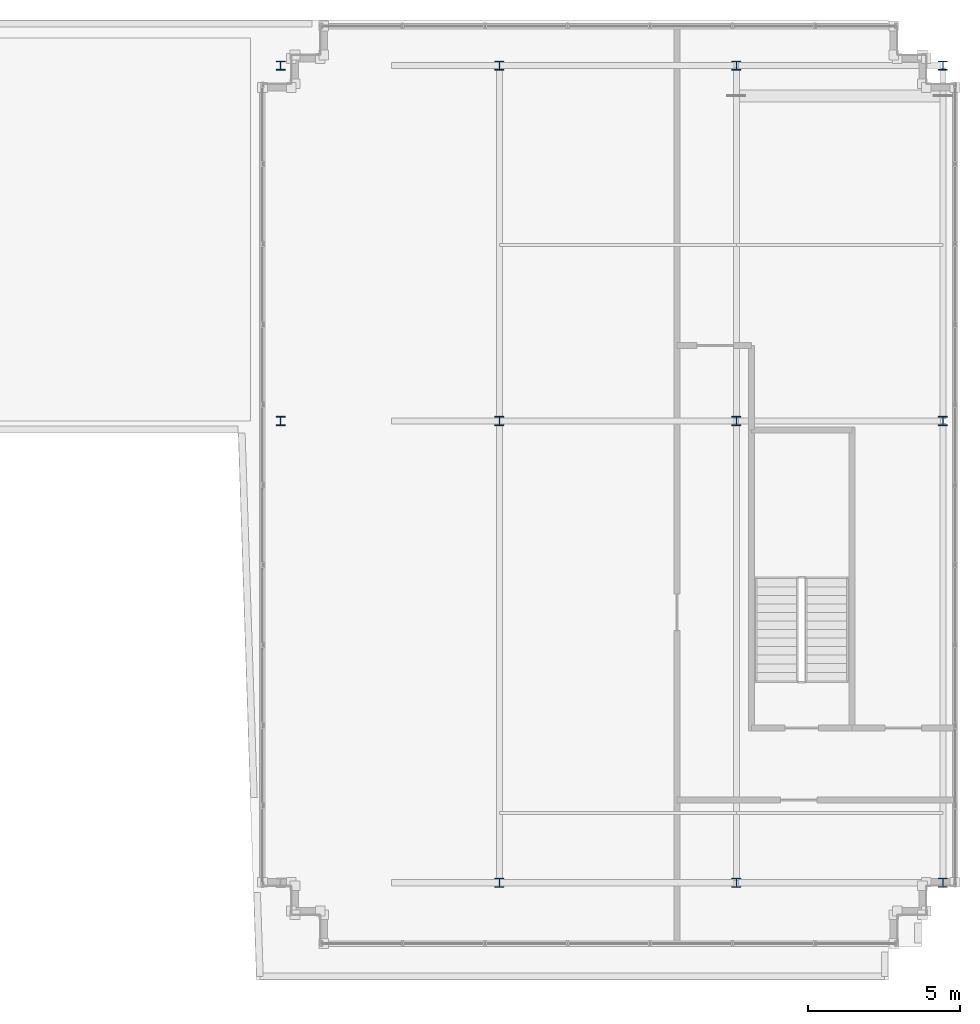
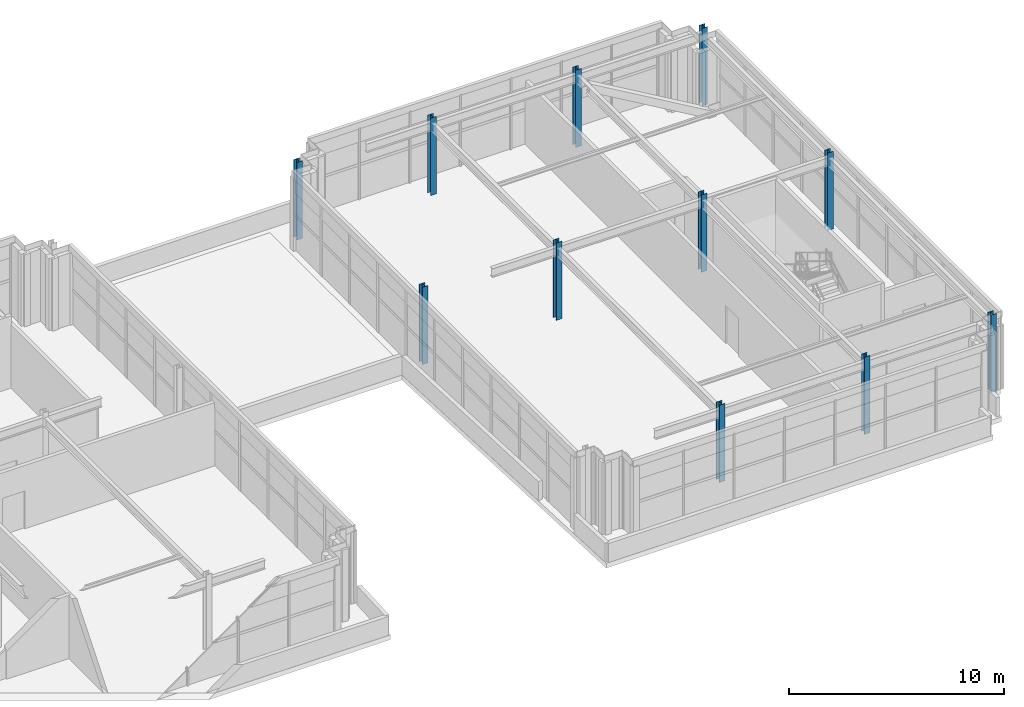
# One storey, part 2 of 31: 11 columns.
"""IFC4 building model written with IfcOpenShell, lengths in metres."""

from ifc_helpers import new_model, si_unit, direction, frame, origin, origin_2d, place, context, subcontext, project, spatial, i_section, extrude, source, transform, mapped, material, material_profile, profile_set, type_object, element, save


model = new_model("IFC4")

# Units and contexts
model_context = context("Model", 3, precision=1e-05, world=origin(), true_north=direction((0.0, 1.0)))
body_context = subcontext(model_context, "Body", "Model", "MODEL_VIEW")
ifc_project = project(units=[si_unit("LENGTHUNIT", "METRE"), si_unit("AREAUNIT", "SQUARE_METRE"), si_unit("VOLUMEUNIT", "CUBIC_METRE"), si_unit("PLANEANGLEUNIT", "RADIAN"), si_unit("MASSUNIT", "GRAM", prefix="KILO")], contexts=[model_context])

# Site, building, storey
site_placement = place(None, origin())
site = spatial("IfcSite", under=ifc_project, at=site_placement, CompositionType="ELEMENT")
building_placement = place(site_placement, origin())
building = spatial("IfcBuilding", under=site, at=building_placement, Name="Trelvane Seafront Commons", CompositionType="ELEMENT")
storey_placement = place(building_placement, frame((0.0, 0.0, 307.89990234375)))
storey = spatial("IfcBuildingStorey", under=building, at=storey_placement, Name="L80", CompositionType="ELEMENT", Elevation=307.89990234375)

# Columns
ifc_material = material(Name="Steel SM355 (S355)", Category="steel")
ifc_material_profile = material_profile(ifc_material, i_section(OverallWidth=0.300048828125, OverallDepth=0.300048828125, WebThickness=0.014892578125, FlangeThickness=0.02392578125, at=origin_2d()), Name="HD-300x300x15x24")
ifc_profile_set = profile_set([ifc_material_profile], Name="Steel SM355 (S355)")
column_type = type_object("IfcColumnType", Name="STR-CROWN-FRAME-COL", PredefinedType="COLUMN", material=ifc_profile_set)
shared_shape = source(origin(), body_context, "Body", "SweptSolid", [
    extrude(i_section(OverallWidth=0.300048828125, OverallDepth=0.300048828125, WebThickness=0.014892578125, FlangeThickness=0.02392578125, at=origin_2d()), origin(), (0.0, 0.0, 1.0), 4.400146484375),
])
for number, where, z_axis, x_axis, name in (
    (1, (43.800048828125, 33.39990234375, 0.0), (0.0, 0.0, 1.0), (1.0, 0.0, 0.0), "L80 CROWN FRAME Column CRN-5-2"),
    (2, (43.800048828125, 45.10009765625, 0.0), (0.0, 0.0, 1.0), (1.0, 0.0, 0.0), "L80 CROWN FRAME Column CRN-5-3"),
    (3, (51.0, 18.199951171875, 0.0), (0.0, 0.0, 1.0), (1.0, 0.0, 0.0), "L80 CROWN FRAME Column CRN-6-1"),
    (4, (51.0, 33.39990234375, 0.0), (0.0, 0.0, 1.0), (1.0, 0.0, 0.0), "L80 CROWN FRAME Column CRN-6-2"),
    (5, (51.0, 45.10009765625, 0.0), (0.0, 0.0, 1.0), (1.0, 0.0, 0.0), "L80 CROWN FRAME Column CRN-6-3"),
    (6, (58.800048828125, 18.199951171875, 0.0), (0.0, 0.0, 1.0), (1.0, 0.0, 0.0), "L80 CROWN FRAME Column CRN-7-1"),
    (7, (58.800048828125, 33.39990234375, 0.0), (0.0, 0.0, 1.0), (1.0, 0.0, 0.0), "L80 CROWN FRAME Column CRN-7-2"),
    (8, (58.800048828125, 45.10009765625, 0.0), (0.0, 0.0, 1.0), (1.0, 0.0, 0.0), "L80 CROWN FRAME Column CRN-7-3"),
    (9, (65.60009765625, 18.199951171875, 0.0), (0.0, 0.0, 1.0), (1.0, 0.0, 0.0), "L80 CROWN FRAME Column CRN-8-1"),
    (10, (65.60009765625, 33.39990234375, 0.0), (0.0, 0.0, 1.0), (1.0, 0.0, 0.0), "L80 CROWN FRAME Column CRN-8-2"),
    (11, (65.60009765625, 45.10009765625, 0.0), (0.0, 0.0, 1.0), (1.0, 0.0, 0.0), "L80 CROWN FRAME Column CRN-8-3"),
):
    element("IfcColumn", number, at=place(storey_placement, frame(where, z_axis=z_axis, x_axis=x_axis)), inside=storey, type_object=column_type, Name=name, PredefinedType="COLUMN", context=body_context, shape_type="MappedRepresentation", body=[
        mapped(shared_shape, transform((0.0, 0.0, 0.0), x_axis=(1.0, 0.0, 0.0), y_axis=(0.0, 1.0, 0.0), z_axis=(0.0, 0.0, 1.0), scale=1.0)),
    ])

save(model, "model.ifc")
